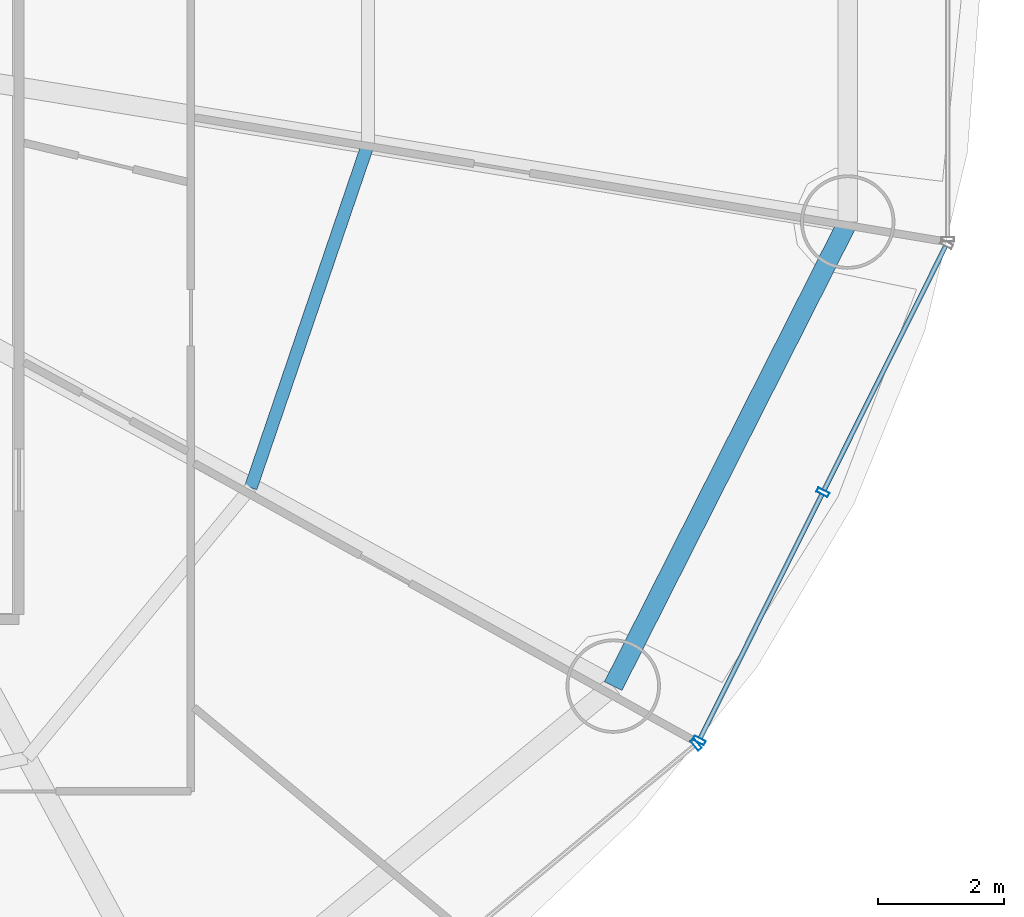
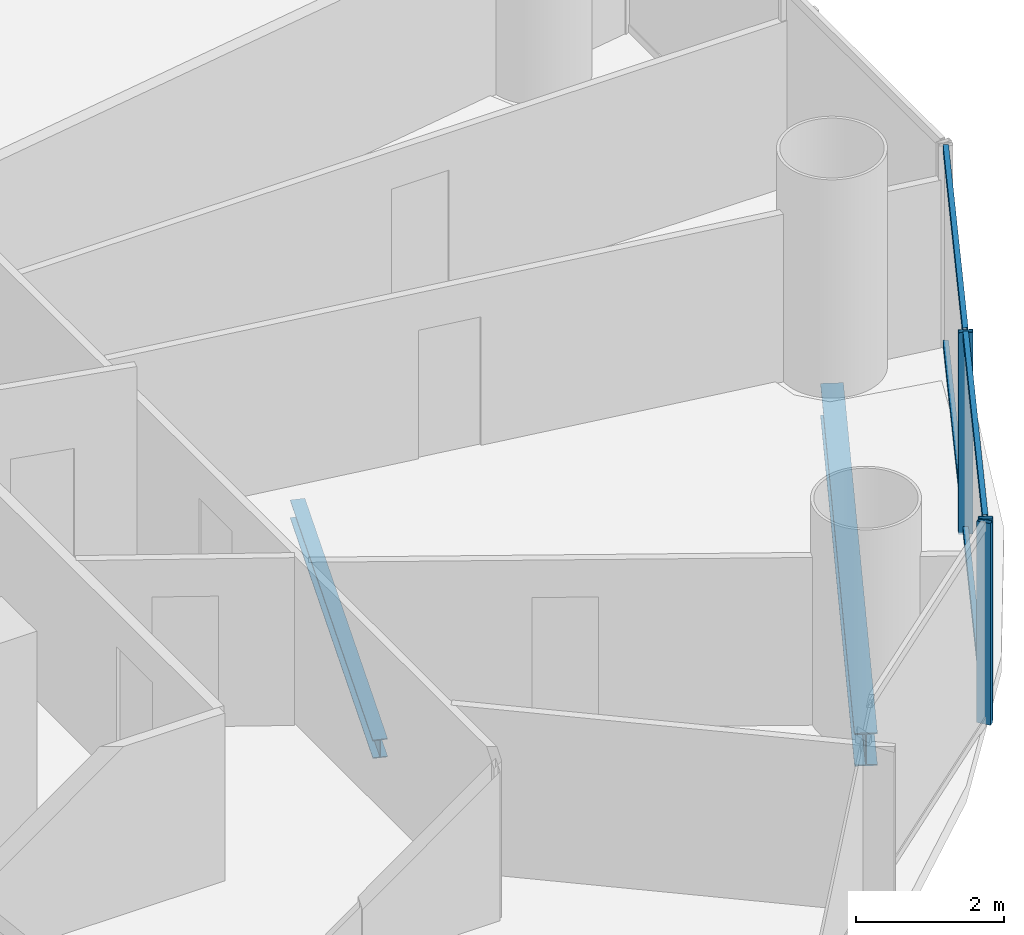
# One storey, part 13 of 29: 7 members, 2 beams, 2 elements without a shape of their own.
"""IFC4 building model written with IfcOpenShell, lengths in metres."""

from ifc_helpers import new_model, si_unit, direction, frame, origin, origin_2d, place, context, subcontext, project, spatial, hollow_rectangle, i_section, extrude, source, transform, mapped, material, material_profile, profile_set, type_object, element, aggregate, save


model = new_model("IFC4")

# Units and contexts
model_context = context("Model", 3, precision=1e-05, world=origin(), true_north=direction((-0.2419218956, 0.970295726276)))
body_context = subcontext(model_context, "Body", "Model", "MODEL_VIEW")
ifc_project = project(units=[si_unit("LENGTHUNIT", "METRE"), si_unit("AREAUNIT", "SQUARE_METRE"), si_unit("VOLUMEUNIT", "CUBIC_METRE"), si_unit("PLANEANGLEUNIT", "RADIAN"), si_unit("MASSUNIT", "GRAM", prefix="KILO")], contexts=[model_context])

# Site, building, storey
site_placement = place(None, origin())
site = spatial("IfcSite", under=ifc_project, at=site_placement, CompositionType="ELEMENT")
building_placement = place(site_placement, origin())
building = spatial("IfcBuilding", under=site, at=building_placement, Name="Cobrevalo Terracotta Tower", CompositionType="ELEMENT")
storey_placement = place(building_placement, frame((0.0, 0.0, 87.0)))
storey = spatial("IfcBuildingStorey", under=building, at=storey_placement, Name="L22", CompositionType="ELEMENT", Elevation=87.0)

# Beams
ifc_material_1 = material(Name="Steel S355", Category="steel")
ifc_material_profile_1 = material_profile(ifc_material_1, i_section(OverallWidth=0.2041015625, OverallDepth=0.305908203125, WebThickness=0.008544921875, FlangeThickness=0.0146484375, at=origin_2d()), Name="W 310x67")
ifc_profile_set_1 = profile_set([ifc_material_profile_1], Name="Steel S355")
beam_type_1 = type_object("IfcBeamType", Name="Structural Joist W 310x67 (Steel S355)", PredefinedType="JOIST", material=ifc_profile_set_1)
beam_1_placement = place(storey_placement, frame((52.987548828125, 18.591796875, -0.427978515625), z_axis=(0.322846227919, 0.946451431991, 0.0), x_axis=(-0.946451431991, 0.322846227919, 0.0)))
element("IfcBeam", 1, at=beam_1_placement, inside=storey, type_object=beam_type_1, Name="L22 circumferential secondary floor joist 15", PredefinedType="JOIST", context=body_context, shape_type="SweptSolid", body=[
    extrude(i_section(OverallWidth=0.2041015625, OverallDepth=0.305908203125, WebThickness=0.008544921875, FlangeThickness=0.0146484375, at=origin_2d()), origin(), (0.0, 0.0, 1.0), 5.77001953125),
])
ifc_material_profile_2 = material_profile(ifc_material_1, i_section(OverallWidth=0.31201171875, OverallDepth=0.54296875, WebThickness=0.0126953125, FlangeThickness=0.020263671875, at=origin_2d()), Name="W 530x150")
ifc_profile_set_2 = profile_set([ifc_material_profile_2], Name="Steel S355")
beam_type_2 = type_object("IfcBeamType", Name="Structural Spandrel W 530x150 (Steel S355)", PredefinedType="SPANDREL", material=ifc_profile_set_2)
beam_2_placement = place(storey_placement, frame((58.7451171875, 15.4384765625, -0.54638671875), z_axis=(0.451051982172, 0.892497680321, 0.0), x_axis=(-0.892497680321, 0.451051982172, 0.0)))
element("IfcBeam", 2, at=beam_2_placement, inside=storey, type_object=beam_type_2, Name="L22 perimeter ring spandrel 15", PredefinedType="SPANDREL", context=body_context, shape_type="SweptSolid", body=[
    extrude(i_section(OverallWidth=0.31201171875, OverallDepth=0.54296875, WebThickness=0.0126953125, FlangeThickness=0.020263671875, at=origin_2d()), origin(), (0.0, 0.0, 1.0), 8.259765625),
])

# Curtain wall, member
ifc_material_2 = material(Name="Anodized aluminium", Category="aluminium")
curtain_wall_type = type_object("IfcCurtainWallType", Name="Lower-tower unitised acoustic low-E curtain wall CW-U1", PredefinedType="NOTDEFINED", material=ifc_material_2)
curtain_wall_1_placement = place(storey_placement, origin())
curtain_wall_1 = element("IfcCurtainWall", 3, at=curtain_wall_1_placement, inside=storey, type_object=curtain_wall_type, Name="L22 curtain wall CW-L22-S14", PredefinedType="NOTDEFINED")
ifc_material_profile_3 = material_profile(ifc_material_2, hollow_rectangle(XDim=0.074951171875, YDim=0.199951171875, WallThickness=0.0048828125, at=origin_2d()), Name="CWM 75x200")
ifc_profile_set_3 = profile_set([ifc_material_profile_3], Name="Anodized aluminium")
member_type_1 = type_object("IfcMemberType", Name="Lower/mid tower unitised mullion 75x200", PredefinedType="MULLION", material=ifc_profile_set_3)
shared_shape_1 = source(origin(), body_context, "Body", "SweptSolid", [
    extrude(hollow_rectangle(XDim=0.074951171875, YDim=0.199951171875, WallThickness=0.0048828125, at=origin_2d()), origin(), (0.0, 0.0, 1.0), 3.324951171875),
])
member_1_placement = place(storey_placement, frame((60.061279296875, 14.512939453125, 0.0), z_axis=(0.0, 0.0, 1.0), x_axis=(0.769243451658, 0.638955798222, 0.0)))
member_1 = element("IfcMember", 4, at=member_1_placement, type_object=member_type_1, Name="CW-L22-S14 vertical mullion 03", PredefinedType="MULLION", context=body_context, shape_type="MappedRepresentation", body=[
    mapped(shared_shape_1, transform((0.0, 0.0, 0.0), scale=1.0)),
])
aggregate(curtain_wall_1, [member_1])

# Curtain wall, members
curtain_wall_2_placement = place(storey_placement, origin())
curtain_wall_2 = element("IfcCurtainWall", 5, at=curtain_wall_2_placement, inside=storey, type_object=curtain_wall_type, Name="L22 curtain wall CW-L22-S15", PredefinedType="NOTDEFINED")
member_2_placement = place(storey_placement, frame((60.110107421875, 14.574462890625, 0.0), z_axis=(0.0, 0.0, 1.0), x_axis=(0.446260290227, 0.894903208937, 0.0)))
member_2 = element("IfcMember", 6, at=member_2_placement, type_object=member_type_1, Name="CW-L22-S15 vertical mullion 01", PredefinedType="MULLION", context=body_context, shape_type="MappedRepresentation", body=[
    mapped(shared_shape_1, transform((0.0, 0.0, 0.0), scale=1.0)),
])
member_3_placement = place(storey_placement, frame((62.075927734375, 18.516357421875, 0.0), z_axis=(0.0, 0.0, 1.0), x_axis=(0.446260290227, 0.894903208937, 0.0)))
member_3 = element("IfcMember", 7, at=member_3_placement, type_object=member_type_1, Name="CW-L22-S15 vertical mullion 02", PredefinedType="MULLION", context=body_context, shape_type="MappedRepresentation", body=[
    mapped(shared_shape_1, transform((0.0, 0.0, 0.0), scale=1.0)),
])
ifc_material_profile_4 = material_profile(ifc_material_2, hollow_rectangle(XDim=0.074951171875, YDim=0.14990234375, WallThickness=0.00439453125, at=origin_2d()), Name="CWT 75x150")
ifc_profile_set_4 = profile_set([ifc_material_profile_4], Name="Anodized aluminium")
member_type_2 = type_object("IfcMemberType", Name="Tower unitised aluminium transom 75x150", PredefinedType="USERDEFINED", material=ifc_profile_set_4)
shared_shape_2 = source(origin(), body_context, "Body", "SweptSolid", [
    extrude(hollow_rectangle(XDim=0.074951171875, YDim=0.14990234375, WallThickness=0.00439453125, at=origin_2d()), origin(), (0.0, 0.0, 1.0), 4.324951171875),
])
member_4_placement = place(storey_placement, frame((60.1279296875, 14.610107421875, 0.050048828125), z_axis=(0.446219838389, 0.894923379864, 0.0), x_axis=(-0.894923379864, 0.446219838389, 0.0)))
member_4 = element("IfcMember", 8, at=member_4_placement, type_object=member_type_2, Name="CW-L22-S15 transom B01-T1", ObjectType="TRANSOM", PredefinedType="USERDEFINED", context=body_context, shape_type="MappedRepresentation", body=[
    mapped(shared_shape_2, transform((0.0, 0.0, 0.0), scale=1.0)),
])
member_5_placement = place(storey_placement, frame((60.1279296875, 14.610107421875, 3.27490234375), z_axis=(0.446219838389, 0.894923379864, 0.0), x_axis=(-0.894923379864, 0.446219838389, 0.0)))
member_5 = element("IfcMember", 9, at=member_5_placement, type_object=member_type_2, Name="CW-L22-S15 transom B01-T2", ObjectType="TRANSOM", PredefinedType="USERDEFINED", context=body_context, shape_type="MappedRepresentation", body=[
    mapped(shared_shape_2, transform((0.0, 0.0, 0.0), scale=1.0)),
])
member_6_placement = place(storey_placement, frame((62.09375, 18.55224609375, 0.050048828125), z_axis=(0.446219838389, 0.894923379864, 0.0), x_axis=(-0.894923379864, 0.446219838389, 0.0)))
member_6 = element("IfcMember", 10, at=member_6_placement, type_object=member_type_2, Name="CW-L22-S15 transom B02-T1", ObjectType="TRANSOM", PredefinedType="USERDEFINED", context=body_context, shape_type="MappedRepresentation", body=[
    mapped(shared_shape_2, transform((0.0, 0.0, 0.0), scale=1.0)),
])
member_7_placement = place(storey_placement, frame((62.09375, 18.55224609375, 3.27490234375), z_axis=(0.446219838389, 0.894923379864, 0.0), x_axis=(-0.894923379864, 0.446219838389, 0.0)))
member_7 = element("IfcMember", 11, at=member_7_placement, type_object=member_type_2, Name="CW-L22-S15 transom B02-T2", ObjectType="TRANSOM", PredefinedType="USERDEFINED", context=body_context, shape_type="MappedRepresentation", body=[
    mapped(shared_shape_2, transform((0.0, 0.0, 0.0), scale=1.0)),
])
aggregate(curtain_wall_2, [member_2, member_3, member_4, member_5, member_6, member_7])

save(model, "model.ifc")
